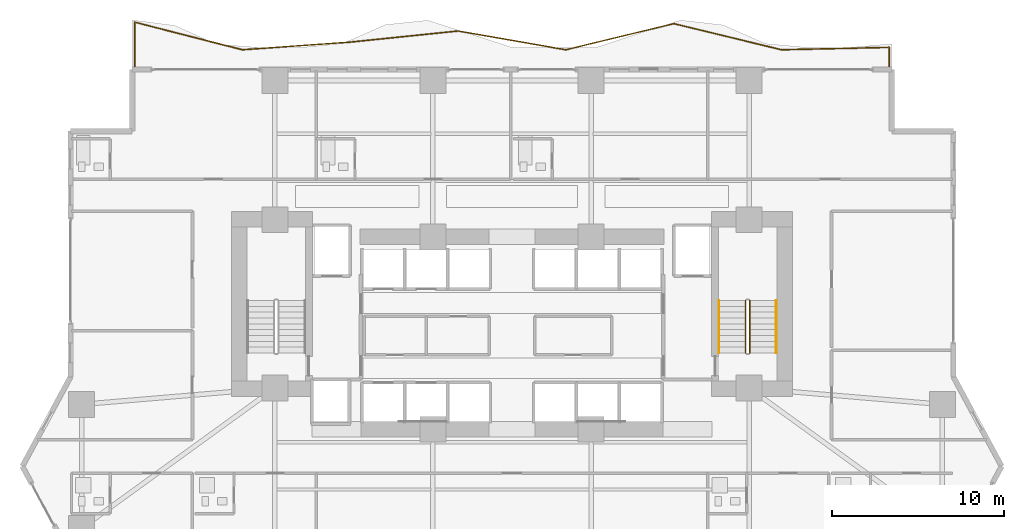
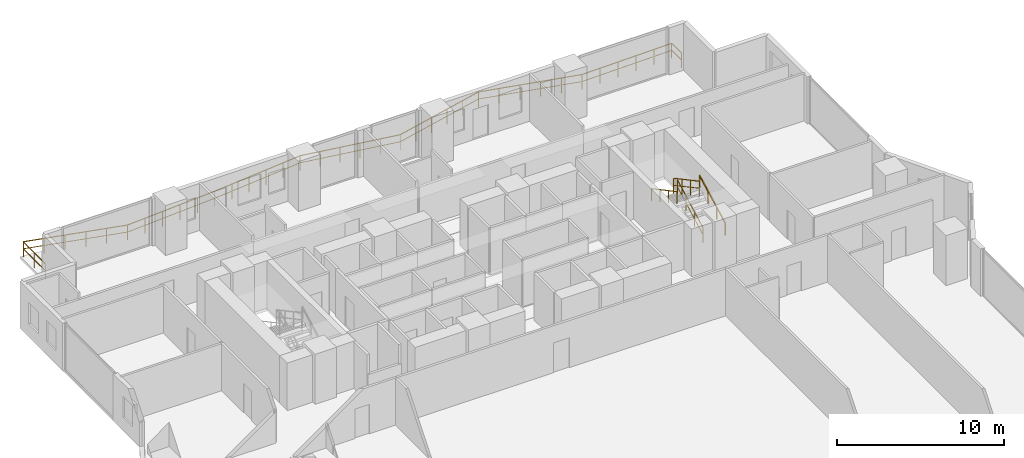
# One storey, part 26 of 28: 5 railings.
"""IFC4 building model written with IfcOpenShell, lengths in metres."""

import ifcopenshell
import ifcopenshell.guid

model = None  # the IFC model being written
_history = None  # IfcOwnerHistory: only IFC2X3 demands one
_inside = {}  # id of a spatial element -> (the spatial element, [elements in it])
_under = {}  # id of a project, library or spatial element -> (it, [spatial elements below it])
_declared = {}  # id of a project -> (the project, [libraries it declares])
_typed = {}  # id of a type object -> (the type object, [elements of that type])
_made_of = {}  # id of a material, layer set ... -> (it, [elements and type objects made of it])


def new_model(schema):
    """Start an empty IFC model of exactly this schema.

    Asked for "IFC4X3", IfcOpenShell would pick the latest addendum, in which some entities
    have other attributes; the version numbers below select the first issue.
    IFC2X3 requires an IfcOwnerHistory on every rooted entity: one is made here for all.
    """
    global model, _history
    if schema == "IFC4X3":
        model = ifcopenshell.file(schema_version=(4, 3, 0, 0))
    else:
        model = ifcopenshell.file(schema=schema)
    _inside.clear()
    _under.clear()
    _declared.clear()
    _typed.clear()
    _made_of.clear()
    _history = None
    if model.schema == "IFC2X3":
        org = make("IfcOrganization", Name="unknown")
        user = make(
            "IfcPersonAndOrganization",
            ThePerson=make("IfcPerson", FamilyName="unknown"),
            TheOrganization=org,
        )
        app = make(
            "IfcApplication",
            ApplicationDeveloper=org,
            Version="unknown",
            ApplicationFullName="unknown",
            ApplicationIdentifier="unknown",
        )
        _history = make(
            "IfcOwnerHistory",
            OwningUser=user,
            OwningApplication=app,
            ChangeAction="ADDED",
            CreationDate=0,
        )
    return model


def make(cls, **values):
    """One entity of the class cls with the attributes given. An attribute that is None is left unset."""
    return model.create_entity(
        cls, **{name: value for name, value in values.items() if value is not None}
    )


def rooted(cls, **values):
    """An entity with a GlobalId (a new one), such as an element, a storey or a relation."""
    return make(cls, GlobalId=ifcopenshell.guid.new(), OwnerHistory=_history, **values)


def si_unit(unit_type, name, prefix=None):
    """IfcSIUnit, for example si_unit("LENGTHUNIT", "METRE", prefix="MILLI")."""
    return make("IfcSIUnit", UnitType=unit_type, Prefix=prefix, Name=name)


def assignment(units):
    """IfcUnitAssignment: the units of a project."""
    return None if units is None else make("IfcUnitAssignment", Units=units)


def point(xyz):
    """IfcCartesianPoint."""
    return None if xyz is None else make("IfcCartesianPoint", Coordinates=xyz)


def direction(xyz):
    """IfcDirection."""
    return None if xyz is None else make("IfcDirection", DirectionRatios=xyz)


def frame(location, z_axis=None, x_axis=None):
    """IfcAxis2Placement3D, a coordinate frame: its origin and axes. An axis left out is left unset."""
    return make(
        "IfcAxis2Placement3D",
        Location=point(location),
        Axis=direction(z_axis),
        RefDirection=direction(x_axis),
    )


def frame_2d(location, x_axis=None):
    """IfcAxis2Placement2D, a coordinate frame in the plane: its origin and x axis."""
    return make(
        "IfcAxis2Placement2D", Location=point(location), RefDirection=direction(x_axis)
    )


def origin():
    """The frame at (0, 0, 0) with its axes left unset."""
    return frame((0.0, 0.0, 0.0))


def origin_2d():
    """The frame at (0, 0) in the plane with its x axis left unset."""
    return frame_2d((0.0, 0.0))


def place(relative_to, where):
    """IfcLocalPlacement: puts the frame where relative to a parent placement (None: the world)."""
    return make(
        "IfcLocalPlacement", PlacementRelTo=relative_to, RelativePlacement=where
    )


def context(
    kind, dimensions, precision=None, world=None, true_north=None, identifier=None
):
    """IfcGeometricRepresentationContext, for example the 3D "Model" context."""
    return make(
        "IfcGeometricRepresentationContext",
        ContextIdentifier=identifier,
        ContextType=kind,
        CoordinateSpaceDimension=dimensions,
        Precision=precision,
        WorldCoordinateSystem=world,
        TrueNorth=true_north,
    )


def subcontext(parent, identifier, kind, view, scale=None):
    """IfcGeometricRepresentationSubContext, for example "Body" below "Model"."""
    return make(
        "IfcGeometricRepresentationSubContext",
        ContextIdentifier=identifier,
        ContextType=kind,
        ParentContext=parent,
        TargetScale=scale,
        TargetView=view,
    )


def project(units=None, contexts=None):
    """IfcProject with its units and contexts."""
    return rooted(
        "IfcProject",
        Name="project",
        RepresentationContexts=contexts,
        UnitsInContext=assignment(units),
    )


def spatial(cls, under=None, at=None, **own):
    """A site, building, storey or space (cls), placed at a placement, below another one or the project."""
    s = rooted(cls, ObjectPlacement=at, **own)
    if under is not None:
        _under.setdefault(under.id(), (under, []))[1].append(s)
    return s


def profile(cls, at=None, kind="AREA", **sizes):
    """A parametric profile (cls). Its sizes go by their IFC names, for example OverallWidth=200.0."""
    return make(cls, ProfileType=kind, Position=at, **sizes)


def rectangle(**sizes):
    """IfcRectangleProfileDef."""
    return profile("IfcRectangleProfileDef", **sizes)


def extrude(swept, where, along, depth):
    """IfcExtrudedAreaSolid: the profile swept, set in the frame where, extruded along a direction by depth."""
    return make(
        "IfcExtrudedAreaSolid",
        SweptArea=swept,
        Position=where,
        ExtrudedDirection=direction(along),
        Depth=depth,
    )


def shape(context_of_items, identifier, shape_type, items):
    """IfcShapeRepresentation: the items that make up one representation, for example the "Body"."""
    return make(
        "IfcShapeRepresentation",
        ContextOfItems=context_of_items,
        RepresentationIdentifier=identifier,
        RepresentationType=shape_type,
        Items=items,
    )


def material(Name=None, Category=None):
    """IfcMaterial."""
    return make("IfcMaterial", Name=Name, Category=Category)


def made_of(thing, what):
    """Note that an element or type object is made of a material, layer set ...; save() writes the relation."""
    if what is not None:
        _made_of.setdefault(what.id(), (what, []))[1].append(thing)
    return thing


def type_object(cls, material=None, **own):
    """A type object (cls), such as IfcWallType, which elements share."""
    return made_of(rooted(cls, **own), material)


def element(
    cls,
    number,
    at=None,
    inside=None,
    cuts=None,
    type_object=None,
    material=None,
    context=None,
    identifier="Body",
    shape_type=None,
    held_by="IfcProductDefinitionShape",
    body=None,
    shapes=None,
    **own,
):
    """One element of the class cls, such as IfcWall. Its Tag is "e" and its number.

    at: its placement. inside: the storey or other place that contains it. cuts: it is an
    opening in that element (IfcRelVoidsElement). A single representation is given by context,
    identifier, shape_type and body (its items); several are given by shapes. held_by: the class
    of the entity that holds the representations. save() writes the other relations.
    """
    e = rooted(cls, Tag="e%d" % number, ObjectPlacement=at, **own)
    if body is not None:
        shapes = [shape(context, identifier, shape_type, body)]
    if shapes is not None:
        e.Representation = make(held_by, Representations=shapes)
    if inside is not None:
        _inside.setdefault(inside.id(), (inside, []))[1].append(e)
    if cuts is not None:
        rooted(
            "IfcRelVoidsElement", RelatingBuildingElement=cuts, RelatedOpeningElement=e
        )
    if type_object is not None:
        _typed.setdefault(type_object.id(), (type_object, []))[1].append(e)
    return made_of(e, material)


def aggregate(whole, parts):
    """IfcRelAggregates: a whole, such as a stair, and the parts it consists of."""
    return rooted("IfcRelAggregates", RelatingObject=whole, RelatedObjects=parts)


def save(model, path):
    """Write the relations noted so far, then the file.

    IfcRelAggregates (storeys below a building ...), IfcRelContainedInSpatialStructure (elements
    in a storey), IfcRelDefinesByType, IfcRelAssociatesMaterial and IfcRelDeclares: one each for
    every whole, place, type object, material and project.
    """
    for whole, parts in _under.values():
        aggregate(whole, parts)
    for where, things in _inside.values():
        rooted(
            "IfcRelContainedInSpatialStructure",
            RelatedElements=things,
            RelatingStructure=where,
        )
    for kind, things in _typed.values():
        rooted("IfcRelDefinesByType", RelatedObjects=things, RelatingType=kind)
    for what, things in _made_of.values():
        rooted("IfcRelAssociatesMaterial", RelatedObjects=things, RelatingMaterial=what)
    for by, libraries in _declared.values():
        rooted("IfcRelDeclares", RelatingContext=by, RelatedDefinitions=libraries)
    model.write(path)


model = new_model("IFC4")

# Units and contexts
model_context = context("Model", 3, precision=1e-05, world=origin(), true_north=direction((0.0, 1.0)))
body_context = subcontext(model_context, "Body", "Model", "MODEL_VIEW")
ifc_project = project(units=[si_unit("LENGTHUNIT", "METRE"), si_unit("AREAUNIT", "SQUARE_METRE"), si_unit("VOLUMEUNIT", "CUBIC_METRE"), si_unit("PLANEANGLEUNIT", "RADIAN"), si_unit("MASSUNIT", "GRAM", prefix="KILO")], contexts=[model_context])

# Site, building, storey
site_placement = place(None, origin())
site = spatial("IfcSite", under=ifc_project, at=site_placement, CompositionType="ELEMENT")
building_placement = place(site_placement, origin())
building = spatial("IfcBuilding", under=site, at=building_placement, Name="Zuhayl Quay Hotel", CompositionType="ELEMENT")
storey_placement = place(building_placement, frame((0.0, 0.0, 78.699951171875)))
storey = spatial("IfcBuildingStorey", under=building, at=storey_placement, Name="L19", CompositionType="ELEMENT", Elevation=78.699951171875)

# Railings
ifc_material_1 = material(Name="Anodised Aluminium and Laminated Glass", Category="aluminium")
railing_type_1 = type_object("IfcRailingType", Name="RL_EXT_BAL_1100", PredefinedType="BALUSTRADE", material=ifc_material_1)
railing_1_placement = place(storey_placement, frame((-21.9599609375, 23.219970703125, 0.0)))
element("IfcRailing", 1, at=railing_1_placement, inside=storey, type_object=railing_type_1, Name="L19 Balcony and Terrace Guard GR_L19_BAL_N", PredefinedType="BALUSTRADE", context=body_context, shape_type="SweptSolid", body=[
    extrude(rectangle(XDim=0.048095703125, YDim=0.048095703125, at=origin_2d()), frame((0.0, 0.0, 1.09619140625), z_axis=(0.0, 1.0, 0.0), x_axis=(-1.0, 0.0, 0.0)), (0.0, 0.0, 1.0), 2.625244140625),
    extrude(rectangle(XDim=0.0361328125, YDim=0.0361328125, at=origin_2d()), frame((0.0, 0.0, 0.58251953125), z_axis=(0.0, 1.0, 0.0), x_axis=(-1.0, 0.0, 0.0)), (0.0, 0.0, 1.0), 2.625244140625),
    extrude(rectangle(XDim=0.048095703125, YDim=0.048095703125, at=origin_2d()), frame((0.0, 2.625244140625, 1.09619140625), z_axis=(0.968795126198, -0.247862872281, 0.0), x_axis=(0.247862872281, 0.968795126198, 0.0)), (0.0, 0.0, 1.0), 6.476318359375),
    extrude(rectangle(XDim=0.0361328125, YDim=0.0361328125, at=origin_2d()), frame((0.0, 2.625244140625, 0.58251953125), z_axis=(0.968795126198, -0.247862872281, 0.0), x_axis=(0.247862872281, 0.968795126198, 0.0)), (0.0, 0.0, 1.0), 6.476318359375),
    extrude(rectangle(XDim=0.048095703125, YDim=0.048095703125, at=origin_2d()), frame((6.274169921875, 1.02001953125, 1.09619140625), z_axis=(0.997479933239, 0.070949156341, 0.0), x_axis=(-0.070949156341, 0.997479933239, 0.0)), (0.0, 0.0, 1.0), 6.290283203125),
    extrude(rectangle(XDim=0.0361328125, YDim=0.0361328125, at=origin_2d()), frame((6.274169921875, 1.02001953125, 0.58251953125), z_axis=(0.997479933239, 0.070949156341, 0.0), x_axis=(-0.070949156341, 0.997479933239, 0.0)), (0.0, 0.0, 1.0), 6.290283203125),
    extrude(rectangle(XDim=0.048095703125, YDim=0.048095703125, at=origin_2d()), frame((12.548583984375, 1.46630859375, 1.09619140625), z_axis=(0.994729432153, 0.102534661496, 0.0), x_axis=(-0.102534661496, 0.994729432153, 0.0)), (0.0, 0.0, 1.0), 6.307373046875),
    extrude(rectangle(XDim=0.0361328125, YDim=0.0361328125, at=origin_2d()), frame((12.548583984375, 1.46630859375, 0.58251953125), z_axis=(0.994729432153, 0.102534661496, 0.0), x_axis=(-0.102534661496, 0.994729432153, 0.0)), (0.0, 0.0, 1.0), 6.307373046875),
    extrude(rectangle(XDim=0.048095703125, YDim=0.048095703125, at=origin_2d()), frame((18.82275390625, 2.113037109375, 1.09619140625), z_axis=(0.98516360604, -0.171617800165, 0.0), x_axis=(0.171617800165, 0.98516360604, 0.0)), (0.0, 0.0, 1.0), 6.368896484375),
    extrude(rectangle(XDim=0.0361328125, YDim=0.0361328125, at=origin_2d()), frame((18.82275390625, 2.113037109375, 0.58251953125), z_axis=(0.98516360604, -0.171617800165, 0.0), x_axis=(0.171617800165, 0.98516360604, 0.0)), (0.0, 0.0, 1.0), 6.368896484375),
    extrude(rectangle(XDim=0.048095703125, YDim=0.048095703125, at=origin_2d()), frame((25.09716796875, 1.02001953125, 1.09619140625), z_axis=(0.971859288612, 0.235562142837, 0.0), x_axis=(-0.235562142837, 0.971859288612, 0.0)), (0.0, 0.0, 1.0), 6.455810546875),
    extrude(rectangle(XDim=0.0361328125, YDim=0.0361328125, at=origin_2d()), frame((25.09716796875, 1.02001953125, 0.58251953125), z_axis=(0.971859288612, 0.235562142837, 0.0), x_axis=(-0.235562142837, 0.971859288612, 0.0)), (0.0, 0.0, 1.0), 6.455810546875),
    extrude(rectangle(XDim=0.048095703125, YDim=0.048095703125, at=origin_2d()), frame((31.371337890625, 2.540771484375, 1.09619140625), z_axis=(0.971861386944, -0.235553485575, 0.0), x_axis=(0.235553485575, 0.971861386944, 0.0)), (0.0, 0.0, 1.0), 6.4560546875),
    extrude(rectangle(XDim=0.0361328125, YDim=0.0361328125, at=origin_2d()), frame((31.371337890625, 2.540771484375, 0.58251953125), z_axis=(0.971861386944, -0.235553485575, 0.0), x_axis=(0.235553485575, 0.971861386944, 0.0)), (0.0, 0.0, 1.0), 6.4560546875),
    extrude(rectangle(XDim=0.048095703125, YDim=0.048095703125, at=origin_2d()), frame((37.645751953125, 1.02001953125, 1.09619140625), z_axis=(0.999754979485, 0.022135514352, 0.0), x_axis=(-0.022135514352, 0.999754979485, 0.0)), (0.0, 0.0, 1.0), 6.275634765625),
    extrude(rectangle(XDim=0.0361328125, YDim=0.0361328125, at=origin_2d()), frame((37.645751953125, 1.02001953125, 0.58251953125), z_axis=(0.999754979485, 0.022135514352, 0.0), x_axis=(-0.022135514352, 0.999754979485, 0.0)), (0.0, 0.0, 1.0), 6.275634765625),
    extrude(rectangle(XDim=0.048095703125, YDim=0.048095703125, at=origin_2d()), frame((43.919921875, 1.158935546875, 1.09619140625), z_axis=(0.0, -1.0, 0.0), x_axis=(1.0, 0.0, 0.0)), (0.0, 0.0, 1.0), 1.158935546875),
    extrude(rectangle(XDim=0.0361328125, YDim=0.0361328125, at=origin_2d()), frame((43.919921875, 1.158935546875, 0.58251953125), z_axis=(0.0, -1.0, 0.0), x_axis=(1.0, 0.0, 0.0)), (0.0, 0.0, 1.0), 1.158935546875),
    extrude(rectangle(XDim=0.0419921875, YDim=0.0419921875, at=origin_2d()), origin(), (0.0, 0.0, 1.0), 1.072021484375),
    extrude(rectangle(XDim=0.0419921875, YDim=0.0419921875, at=origin_2d()), frame((0.0, 1.3125, 0.0)), (0.0, 0.0, 1.0), 1.072021484375),
    extrude(rectangle(XDim=0.0419921875, YDim=0.0419921875, at=origin_2d()), frame((0.0, 2.625244140625, 0.0)), (0.0, 0.0, 1.0), 1.072021484375),
    extrude(rectangle(XDim=0.0419921875, YDim=0.0419921875, at=origin_2d()), frame((1.2548828125, 2.30419921875, 0.0)), (0.0, 0.0, 1.0), 1.072021484375),
    extrude(rectangle(XDim=0.0419921875, YDim=0.0419921875, at=origin_2d()), frame((2.509765625, 1.983154296875, 0.0)), (0.0, 0.0, 1.0), 1.072021484375),
    extrude(rectangle(XDim=0.0419921875, YDim=0.0419921875, at=origin_2d()), frame((3.764404296875, 1.662109375, 0.0)), (0.0, 0.0, 1.0), 1.072021484375),
    extrude(rectangle(XDim=0.0419921875, YDim=0.0419921875, at=origin_2d()), frame((5.019287109375, 1.341064453125, 0.0)), (0.0, 0.0, 1.0), 1.072021484375),
    extrude(rectangle(XDim=0.0419921875, YDim=0.0419921875, at=origin_2d()), frame((6.274169921875, 1.02001953125, 0.0)), (0.0, 0.0, 1.0), 1.072021484375),
    extrude(rectangle(XDim=0.0419921875, YDim=0.0419921875, at=origin_2d()), frame((7.529052734375, 1.109375, 0.0)), (0.0, 0.0, 1.0), 1.072021484375),
    extrude(rectangle(XDim=0.0419921875, YDim=0.0419921875, at=origin_2d()), frame((8.783935546875, 1.198486328125, 0.0)), (0.0, 0.0, 1.0), 1.072021484375),
    extrude(rectangle(XDim=0.0419921875, YDim=0.0419921875, at=origin_2d()), frame((10.038818359375, 1.287841796875, 0.0)), (0.0, 0.0, 1.0), 1.072021484375),
    extrude(rectangle(XDim=0.0419921875, YDim=0.0419921875, at=origin_2d()), frame((11.293701171875, 1.376953125, 0.0)), (0.0, 0.0, 1.0), 1.072021484375),
    extrude(rectangle(XDim=0.0419921875, YDim=0.0419921875, at=origin_2d()), frame((12.548583984375, 1.46630859375, 0.0)), (0.0, 0.0, 1.0), 1.072021484375),
    extrude(rectangle(XDim=0.0419921875, YDim=0.0419921875, at=origin_2d()), frame((13.803466796875, 1.595703125, 0.0)), (0.0, 0.0, 1.0), 1.072021484375),
    extrude(rectangle(XDim=0.0419921875, YDim=0.0419921875, at=origin_2d()), frame((15.058349609375, 1.72509765625, 0.0)), (0.0, 0.0, 1.0), 1.072021484375),
    extrude(rectangle(XDim=0.0419921875, YDim=0.0419921875, at=origin_2d()), frame((16.31298828125, 1.854248046875, 0.0)), (0.0, 0.0, 1.0), 1.072021484375),
    extrude(rectangle(XDim=0.0419921875, YDim=0.0419921875, at=origin_2d()), frame((17.56787109375, 1.983642578125, 0.0)), (0.0, 0.0, 1.0), 1.072021484375),
    extrude(rectangle(XDim=0.0419921875, YDim=0.0419921875, at=origin_2d()), frame((18.82275390625, 2.113037109375, 0.0)), (0.0, 0.0, 1.0), 1.072021484375),
    extrude(rectangle(XDim=0.0419921875, YDim=0.0419921875, at=origin_2d()), frame((20.07763671875, 1.89453125, 0.0)), (0.0, 0.0, 1.0), 1.072021484375),
    extrude(rectangle(XDim=0.0419921875, YDim=0.0419921875, at=origin_2d()), frame((21.33251953125, 1.67578125, 0.0)), (0.0, 0.0, 1.0), 1.072021484375),
    extrude(rectangle(XDim=0.0419921875, YDim=0.0419921875, at=origin_2d()), frame((22.58740234375, 1.457275390625, 0.0)), (0.0, 0.0, 1.0), 1.072021484375),
    extrude(rectangle(XDim=0.0419921875, YDim=0.0419921875, at=origin_2d()), frame((23.84228515625, 1.238525390625, 0.0)), (0.0, 0.0, 1.0), 1.072021484375),
    extrude(rectangle(XDim=0.0419921875, YDim=0.0419921875, at=origin_2d()), frame((25.09716796875, 1.02001953125, 0.0)), (0.0, 0.0, 1.0), 1.072021484375),
    extrude(rectangle(XDim=0.0419921875, YDim=0.0419921875, at=origin_2d()), frame((26.35205078125, 1.32421875, 0.0)), (0.0, 0.0, 1.0), 1.072021484375),
    extrude(rectangle(XDim=0.0419921875, YDim=0.0419921875, at=origin_2d()), frame((27.60693359375, 1.62841796875, 0.0)), (0.0, 0.0, 1.0), 1.072021484375),
    extrude(rectangle(XDim=0.0419921875, YDim=0.0419921875, at=origin_2d()), frame((28.861572265625, 1.932373046875, 0.0)), (0.0, 0.0, 1.0), 1.072021484375),
    extrude(rectangle(XDim=0.0419921875, YDim=0.0419921875, at=origin_2d()), frame((30.116455078125, 2.236572265625, 0.0)), (0.0, 0.0, 1.0), 1.072021484375),
    extrude(rectangle(XDim=0.0419921875, YDim=0.0419921875, at=origin_2d()), frame((31.371337890625, 2.540771484375, 0.0)), (0.0, 0.0, 1.0), 1.072021484375),
    extrude(rectangle(XDim=0.0419921875, YDim=0.0419921875, at=origin_2d()), frame((32.626220703125, 2.236572265625, 0.0)), (0.0, 0.0, 1.0), 1.072021484375),
    extrude(rectangle(XDim=0.0419921875, YDim=0.0419921875, at=origin_2d()), frame((33.881103515625, 1.932373046875, 0.0)), (0.0, 0.0, 1.0), 1.072021484375),
    extrude(rectangle(XDim=0.0419921875, YDim=0.0419921875, at=origin_2d()), frame((35.135986328125, 1.62841796875, 0.0)), (0.0, 0.0, 1.0), 1.072021484375),
    extrude(rectangle(XDim=0.0419921875, YDim=0.0419921875, at=origin_2d()), frame((36.390869140625, 1.32421875, 0.0)), (0.0, 0.0, 1.0), 1.072021484375),
    extrude(rectangle(XDim=0.0419921875, YDim=0.0419921875, at=origin_2d()), frame((37.645751953125, 1.02001953125, 0.0)), (0.0, 0.0, 1.0), 1.072021484375),
    extrude(rectangle(XDim=0.0419921875, YDim=0.0419921875, at=origin_2d()), frame((38.900634765625, 1.0478515625, 0.0)), (0.0, 0.0, 1.0), 1.072021484375),
    extrude(rectangle(XDim=0.0419921875, YDim=0.0419921875, at=origin_2d()), frame((40.155517578125, 1.07568359375, 0.0)), (0.0, 0.0, 1.0), 1.072021484375),
    extrude(rectangle(XDim=0.0419921875, YDim=0.0419921875, at=origin_2d()), frame((41.41015625, 1.103271484375, 0.0)), (0.0, 0.0, 1.0), 1.072021484375),
    extrude(rectangle(XDim=0.0419921875, YDim=0.0419921875, at=origin_2d()), frame((42.6650390625, 1.131103515625, 0.0)), (0.0, 0.0, 1.0), 1.072021484375),
    extrude(rectangle(XDim=0.0419921875, YDim=0.0419921875, at=origin_2d()), frame((43.919921875, 1.158935546875, 0.0)), (0.0, 0.0, 1.0), 1.072021484375),
    extrude(rectangle(XDim=0.0419921875, YDim=0.0419921875, at=origin_2d()), frame((43.919921875, 0.0, 0.0)), (0.0, 0.0, 1.0), 1.072021484375),
])
ifc_material_2 = material(Name="Steel ASTM A992 Grade 50", Category="steel")
railing_type_2 = type_object("IfcRailingType", Name="RL_GUARD_1100", PredefinedType="GUARDRAIL", material=ifc_material_2)
railing_2_placement = place(storey_placement, frame((13.840087890625, 6.590087890625, 0.1826171875)))
element("IfcRailing", 2, at=railing_2_placement, inside=storey, type_object=railing_type_2, Name="L19 ST2 stair guard 1", PredefinedType="GUARDRAIL", context=body_context, shape_type="SweptSolid", body=[
    extrude(rectangle(XDim=0.048095703125, YDim=0.048095703125, at=origin_2d()), frame((0.0, 0.0, 1.09619140625), z_axis=(0.0, 0.881102395774, 0.472925541879), x_axis=(-1.0, 0.0, 0.0)), (0.0, 0.0, 1.0), 3.47265625),
    extrude(rectangle(XDim=0.0361328125, YDim=0.0361328125, at=origin_2d()), frame((0.0, 0.0, 0.58251953125), z_axis=(0.0, 0.881102395774, 0.472925541879), x_axis=(-1.0, 0.0, 0.0)), (0.0, 0.0, 1.0), 3.47265625),
    extrude(rectangle(XDim=0.0419921875, YDim=0.0419921875, at=origin_2d()), origin(), (0.0, 0.0, 1.0), 1.072021484375),
    extrude(rectangle(XDim=0.0419921875, YDim=0.0419921875, at=origin_2d()), frame((0.0, 1.02001953125, 0.54736328125)), (0.0, 0.0, 1.0), 1.072021484375),
    extrude(rectangle(XDim=0.0419921875, YDim=0.0419921875, at=origin_2d()), frame((0.0, 2.039794921875, 1.094970703125)), (0.0, 0.0, 1.0), 1.072021484375),
    extrude(rectangle(XDim=0.0419921875, YDim=0.0419921875, at=origin_2d()), frame((0.0, 3.059814453125, 1.642333984375)), (0.0, 0.0, 1.0), 1.072021484375),
])
railing_3_placement = place(storey_placement, frame((13.590087890625, 9.64990234375, 2.007568359375)))
element("IfcRailing", 3, at=railing_3_placement, inside=storey, type_object=railing_type_2, Name="L19 ST2 stair guard 3", PredefinedType="GUARDRAIL", context=body_context, shape_type="SweptSolid", body=[
    extrude(rectangle(XDim=0.048095703125, YDim=0.048095703125, at=origin_2d()), frame((0.0, 0.0, 1.09619140625), z_axis=(0.0, -0.88107310026, 0.472980117973), x_axis=(1.0, 0.0, 0.0)), (0.0, 0.0, 1.0), 3.472900390625),
    extrude(rectangle(XDim=0.0361328125, YDim=0.0361328125, at=origin_2d()), frame((0.0, 0.0, 0.58251953125), z_axis=(0.0, -0.88107310026, 0.472980117973), x_axis=(1.0, 0.0, 0.0)), (0.0, 0.0, 1.0), 3.472900390625),
    extrude(rectangle(XDim=0.0419921875, YDim=0.0419921875, at=origin_2d()), origin(), (0.0, 0.0, 1.0), 1.072021484375),
    extrude(rectangle(XDim=0.0419921875, YDim=0.0419921875, at=origin_2d()), frame((0.0, -1.02001953125, 0.547607421875)), (0.0, 0.0, 1.0), 1.072021484375),
    extrude(rectangle(XDim=0.0419921875, YDim=0.0419921875, at=origin_2d()), frame((0.0, -2.039794921875, 1.094970703125)), (0.0, 0.0, 1.0), 1.072021484375),
    extrude(rectangle(XDim=0.0419921875, YDim=0.0419921875, at=origin_2d()), frame((0.0, -3.059814453125, 1.642578125)), (0.0, 0.0, 1.0), 1.072021484375),
])
railing_type_3 = type_object("IfcRailingType", Name="RL_HANDRAIL_920", PredefinedType="HANDRAIL", material=ifc_material_2)
railing_4_placement = place(storey_placement, frame((15.3798828125, 6.590087890625, 0.1826171875)))
element("IfcRailing", 4, at=railing_4_placement, inside=storey, type_object=railing_type_3, Name="L19 ST2 stair handrail 1", PredefinedType="HANDRAIL", context=body_context, shape_type="SweptSolid", body=[
    extrude(rectangle(XDim=0.048095703125, YDim=0.048095703125, at=origin_2d()), frame((0.0, 0.0, 0.8759765625), z_axis=(0.0, 0.881102395774, 0.472925541879), x_axis=(-1.0, 0.0, 0.0)), (0.0, 0.0, 1.0), 3.47265625),
    extrude(rectangle(XDim=0.0419921875, YDim=0.0419921875, at=origin_2d()), origin(), (0.0, 0.0, 1.0), 0.851806640625),
    extrude(rectangle(XDim=0.0419921875, YDim=0.0419921875, at=origin_2d()), frame((0.0, 1.02001953125, 0.54736328125)), (0.0, 0.0, 1.0), 0.851806640625),
    extrude(rectangle(XDim=0.0419921875, YDim=0.0419921875, at=origin_2d()), frame((0.0, 2.039794921875, 1.094970703125)), (0.0, 0.0, 1.0), 0.851806640625),
    extrude(rectangle(XDim=0.0419921875, YDim=0.0419921875, at=origin_2d()), frame((0.0, 3.059814453125, 1.642333984375)), (0.0, 0.0, 1.0), 0.851806640625),
])
railing_5_placement = place(storey_placement, frame((12.050048828125, 9.64990234375, 2.007568359375)))
element("IfcRailing", 5, at=railing_5_placement, inside=storey, type_object=railing_type_3, Name="L19 ST2 stair handrail 2", PredefinedType="HANDRAIL", context=body_context, shape_type="SweptSolid", body=[
    extrude(rectangle(XDim=0.048095703125, YDim=0.048095703125, at=origin_2d()), frame((0.0, 0.0, 0.8759765625), z_axis=(0.0, -0.88107310026, 0.472980117973), x_axis=(1.0, 0.0, 0.0)), (0.0, 0.0, 1.0), 3.472900390625),
    extrude(rectangle(XDim=0.0419921875, YDim=0.0419921875, at=origin_2d()), origin(), (0.0, 0.0, 1.0), 0.851806640625),
    extrude(rectangle(XDim=0.0419921875, YDim=0.0419921875, at=origin_2d()), frame((0.0, -1.02001953125, 0.547607421875)), (0.0, 0.0, 1.0), 0.851806640625),
    extrude(rectangle(XDim=0.0419921875, YDim=0.0419921875, at=origin_2d()), frame((0.0, -2.039794921875, 1.094970703125)), (0.0, 0.0, 1.0), 0.851806640625),
    extrude(rectangle(XDim=0.0419921875, YDim=0.0419921875, at=origin_2d()), frame((0.0, -3.059814453125, 1.642578125)), (0.0, 0.0, 1.0), 0.851806640625),
])

save(model, "model.ifc")
